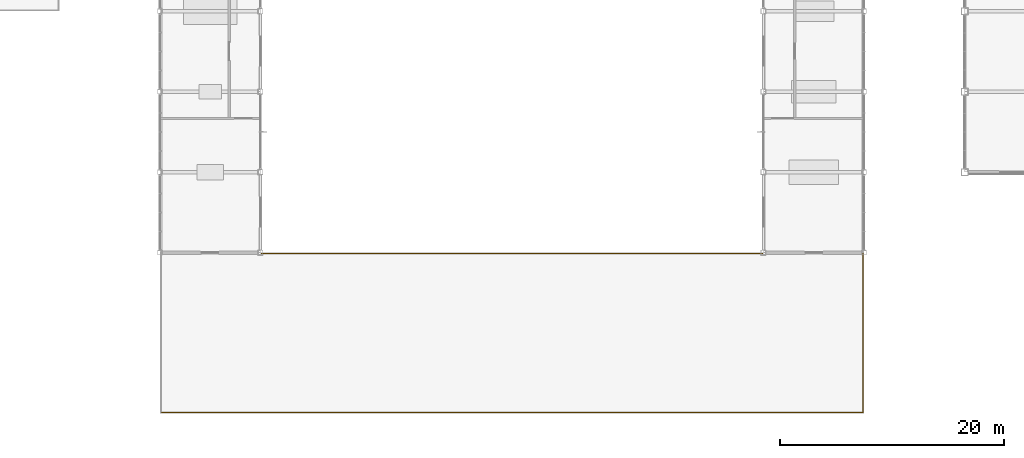
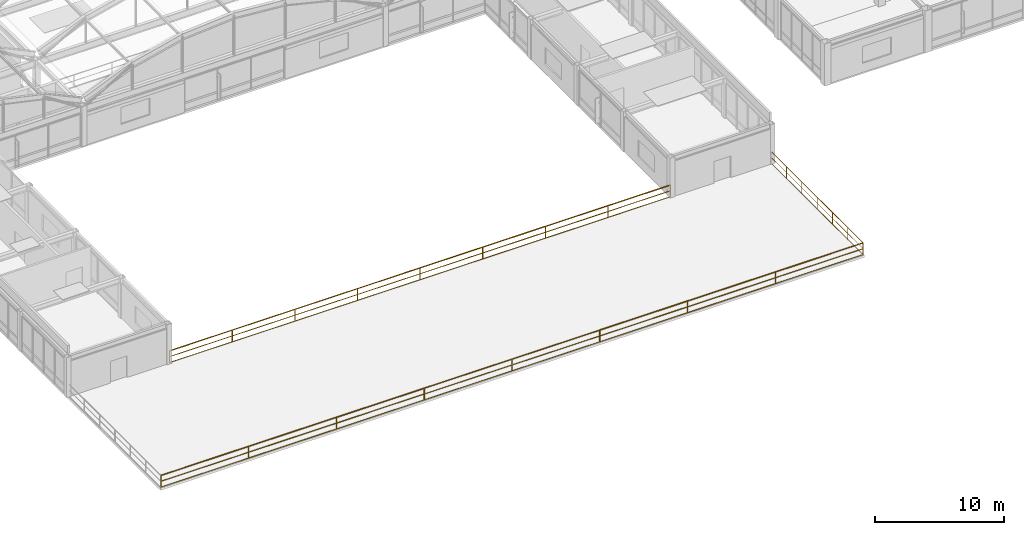
# One storey, part 101 of 106: 3 railings.
"""IFC4 building model written with IfcOpenShell, lengths in metres."""

from ifc_helpers import new_model, si_unit, direction, frame, origin, origin_2d, place, context, subcontext, project, spatial, rectangle, extrude, material, type_object, element, save


model = new_model("IFC4")

# Units and contexts
model_context = context("Model", 3, precision=1e-05, world=origin(), true_north=direction((0.0, 1.0)))
body_context = subcontext(model_context, "Body", "Model", "MODEL_VIEW")
ifc_project = project(units=[si_unit("LENGTHUNIT", "METRE"), si_unit("AREAUNIT", "SQUARE_METRE"), si_unit("VOLUMEUNIT", "CUBIC_METRE"), si_unit("PLANEANGLEUNIT", "RADIAN"), si_unit("MASSUNIT", "GRAM", prefix="KILO")], contexts=[model_context])

# Site, building, storey
site_placement = place(None, origin())
site = spatial("IfcSite", under=ifc_project, at=site_placement, CompositionType="ELEMENT")
building_placement = place(site_placement, origin())
building = spatial("IfcBuilding", under=site, at=building_placement, Name="Kazanami Central Library", CompositionType="ELEMENT")
storey_placement = place(building_placement, frame((0.0, 0.0, 12.800048828125)))
storey = spatial("IfcBuildingStorey", under=building, at=storey_placement, Name="L04", CompositionType="ELEMENT", Elevation=12.800048828125)

# Railings
ifc_material = material(Name="Stainless Steel SUS304", Category="steel")
railing_type = type_object("IfcRailingType", Name="RAL-GR-T1", PredefinedType="GUARDRAIL", material=ifc_material)
railing_1_placement = place(storey_placement, frame((45.080078125, 21.679931640625, 0.0)))
element("IfcRailing", 1, at=railing_1_placement, inside=storey, type_object=railing_type, Name="Terrace Perimeter Guard Public Canal Roof Reading Terrace L04 (South)", PredefinedType="GUARDRAIL", context=body_context, shape_type="SweptSolid", body=[
    extrude(rectangle(XDim=0.0439453125, YDim=0.0439453125, at=origin_2d()), frame((0.02587890625, 0.0, 1.1279296875), z_axis=(1.0, 0.0, 0.0), x_axis=(0.0, 1.0, 0.0)), (0.0, 0.0, 1.0), 62.787841796875),
    extrude(rectangle(XDim=0.02392578125, YDim=0.02392578125, at=origin_2d()), frame((0.02587890625, 0.0, 0.015869140625), z_axis=(1.0, 0.0, 0.0), x_axis=(0.0, 1.0, 0.0)), (0.0, 0.0, 1.0), 62.787841796875),
    extrude(rectangle(XDim=0.02392578125, YDim=0.02392578125, at=origin_2d()), frame((0.02587890625, 0.0, 0.574951171875), z_axis=(1.0, 0.0, 0.0), x_axis=(0.0, 1.0, 0.0)), (0.0, 0.0, 1.0), 62.787841796875),
    extrude(rectangle(XDim=0.035888671875, YDim=0.035888671875, at=origin_2d()), origin(), (0.0, 0.0, 1.0), 1.10205078125),
    extrude(rectangle(XDim=0.035888671875, YDim=0.035888671875, at=origin_2d()), frame((7.85498046875, 0.0, 0.0)), (0.0, 0.0, 1.0), 1.10205078125),
    extrude(rectangle(XDim=0.035888671875, YDim=0.035888671875, at=origin_2d()), frame((15.7099609375, 0.0, 0.0)), (0.0, 0.0, 1.0), 1.10205078125),
    extrude(rectangle(XDim=0.035888671875, YDim=0.035888671875, at=origin_2d()), frame((23.56494140625, 0.0, 0.0)), (0.0, 0.0, 1.0), 1.10205078125),
    extrude(rectangle(XDim=0.035888671875, YDim=0.035888671875, at=origin_2d()), frame((31.419921875, 0.0, 0.0)), (0.0, 0.0, 1.0), 1.10205078125),
    extrude(rectangle(XDim=0.035888671875, YDim=0.035888671875, at=origin_2d()), frame((39.27490234375, 0.0, 0.0)), (0.0, 0.0, 1.0), 1.10205078125),
    extrude(rectangle(XDim=0.035888671875, YDim=0.035888671875, at=origin_2d()), frame((47.1298828125, 0.0, 0.0)), (0.0, 0.0, 1.0), 1.10205078125),
    extrude(rectangle(XDim=0.035888671875, YDim=0.035888671875, at=origin_2d()), frame((54.98486328125, 0.0, 0.0)), (0.0, 0.0, 1.0), 1.10205078125),
    extrude(rectangle(XDim=0.035888671875, YDim=0.035888671875, at=origin_2d()), frame((62.83984375, 0.0, 0.0)), (0.0, 0.0, 1.0), 1.10205078125),
])
railing_2_placement = place(storey_placement, frame((107.919921875, 21.679931640625, 0.0)))
element("IfcRailing", 2, at=railing_2_placement, inside=storey, type_object=railing_type, Name="Terrace Perimeter Guard Public Canal Roof Reading Terrace L04 (East)", PredefinedType="GUARDRAIL", context=body_context, shape_type="SweptSolid", body=[
    extrude(rectangle(XDim=0.0439453125, YDim=0.0439453125, at=origin_2d()), frame((0.0, 0.02587890625, 1.1279296875), z_axis=(0.0, 1.0, 0.0), x_axis=(-1.0, 0.0, 0.0)), (0.0, 0.0, 1.0), 14.18798828125),
    extrude(rectangle(XDim=0.02392578125, YDim=0.02392578125, at=origin_2d()), frame((0.0, 0.02587890625, 0.015869140625), z_axis=(0.0, 1.0, 0.0), x_axis=(-1.0, 0.0, 0.0)), (0.0, 0.0, 1.0), 14.18798828125),
    extrude(rectangle(XDim=0.02392578125, YDim=0.02392578125, at=origin_2d()), frame((0.0, 0.02587890625, 0.574951171875), z_axis=(0.0, 1.0, 0.0), x_axis=(-1.0, 0.0, 0.0)), (0.0, 0.0, 1.0), 14.18798828125),
    extrude(rectangle(XDim=0.035888671875, YDim=0.035888671875, at=origin_2d()), origin(), (0.0, 0.0, 1.0), 1.10205078125),
    extrude(rectangle(XDim=0.035888671875, YDim=0.035888671875, at=origin_2d()), frame((0.0, 2.373291015625, 0.0)), (0.0, 0.0, 1.0), 1.10205078125),
    extrude(rectangle(XDim=0.035888671875, YDim=0.035888671875, at=origin_2d()), frame((0.0, 4.74658203125, 0.0)), (0.0, 0.0, 1.0), 1.10205078125),
    extrude(rectangle(XDim=0.035888671875, YDim=0.035888671875, at=origin_2d()), frame((0.0, 7.1201171875, 0.0)), (0.0, 0.0, 1.0), 1.10205078125),
    extrude(rectangle(XDim=0.035888671875, YDim=0.035888671875, at=origin_2d()), frame((0.0, 9.493408203125, 0.0)), (0.0, 0.0, 1.0), 1.10205078125),
    extrude(rectangle(XDim=0.035888671875, YDim=0.035888671875, at=origin_2d()), frame((0.0, 11.86669921875, 0.0)), (0.0, 0.0, 1.0), 1.10205078125),
    extrude(rectangle(XDim=0.035888671875, YDim=0.035888671875, at=origin_2d()), frame((0.0, 14.239990234375, 0.0)), (0.0, 0.0, 1.0), 1.10205078125),
])
railing_3_placement = place(storey_placement, frame((54.080078125, 35.919921875, 0.0)))
element("IfcRailing", 3, at=railing_3_placement, inside=storey, type_object=railing_type, Name="Terrace Courtyard Guard Public Canal Roof Reading Terrace L04 (NORTH-COURT)", PredefinedType="GUARDRAIL", context=body_context, shape_type="SweptSolid", body=[
    extrude(rectangle(XDim=0.0439453125, YDim=0.0439453125, at=origin_2d()), frame((0.02587890625, 0.0, 1.1279296875), z_axis=(1.0, 0.0, 0.0), x_axis=(0.0, 1.0, 0.0)), (0.0, 0.0, 1.0), 44.787841796875),
    extrude(rectangle(XDim=0.02392578125, YDim=0.02392578125, at=origin_2d()), frame((0.02587890625, 0.0, 0.015869140625), z_axis=(1.0, 0.0, 0.0), x_axis=(0.0, 1.0, 0.0)), (0.0, 0.0, 1.0), 44.787841796875),
    extrude(rectangle(XDim=0.02392578125, YDim=0.02392578125, at=origin_2d()), frame((0.02587890625, 0.0, 0.574951171875), z_axis=(1.0, 0.0, 0.0), x_axis=(0.0, 1.0, 0.0)), (0.0, 0.0, 1.0), 44.787841796875),
    extrude(rectangle(XDim=0.035888671875, YDim=0.035888671875, at=origin_2d()), origin(), (0.0, 0.0, 1.0), 1.10205078125),
    extrude(rectangle(XDim=0.035888671875, YDim=0.035888671875, at=origin_2d()), frame((5.60498046875, 0.0, 0.0)), (0.0, 0.0, 1.0), 1.10205078125),
    extrude(rectangle(XDim=0.035888671875, YDim=0.035888671875, at=origin_2d()), frame((11.2099609375, 0.0, 0.0)), (0.0, 0.0, 1.0), 1.10205078125),
    extrude(rectangle(XDim=0.035888671875, YDim=0.035888671875, at=origin_2d()), frame((16.81494140625, 0.0, 0.0)), (0.0, 0.0, 1.0), 1.10205078125),
    extrude(rectangle(XDim=0.035888671875, YDim=0.035888671875, at=origin_2d()), frame((22.419921875, 0.0, 0.0)), (0.0, 0.0, 1.0), 1.10205078125),
    extrude(rectangle(XDim=0.035888671875, YDim=0.035888671875, at=origin_2d()), frame((28.02490234375, 0.0, 0.0)), (0.0, 0.0, 1.0), 1.10205078125),
    extrude(rectangle(XDim=0.035888671875, YDim=0.035888671875, at=origin_2d()), frame((33.6298828125, 0.0, 0.0)), (0.0, 0.0, 1.0), 1.10205078125),
    extrude(rectangle(XDim=0.035888671875, YDim=0.035888671875, at=origin_2d()), frame((39.23486328125, 0.0, 0.0)), (0.0, 0.0, 1.0), 1.10205078125),
    extrude(rectangle(XDim=0.035888671875, YDim=0.035888671875, at=origin_2d()), frame((44.83984375, 0.0, 0.0)), (0.0, 0.0, 1.0), 1.10205078125),
])

save(model, "model.ifc")
